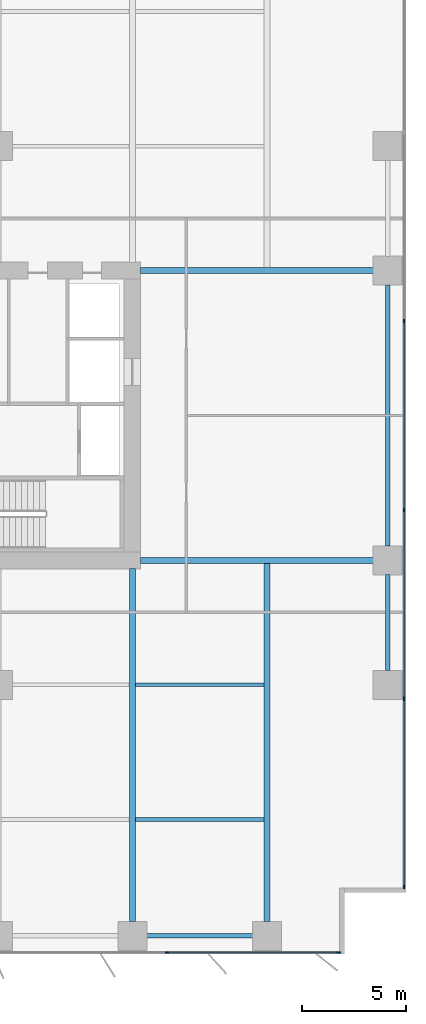
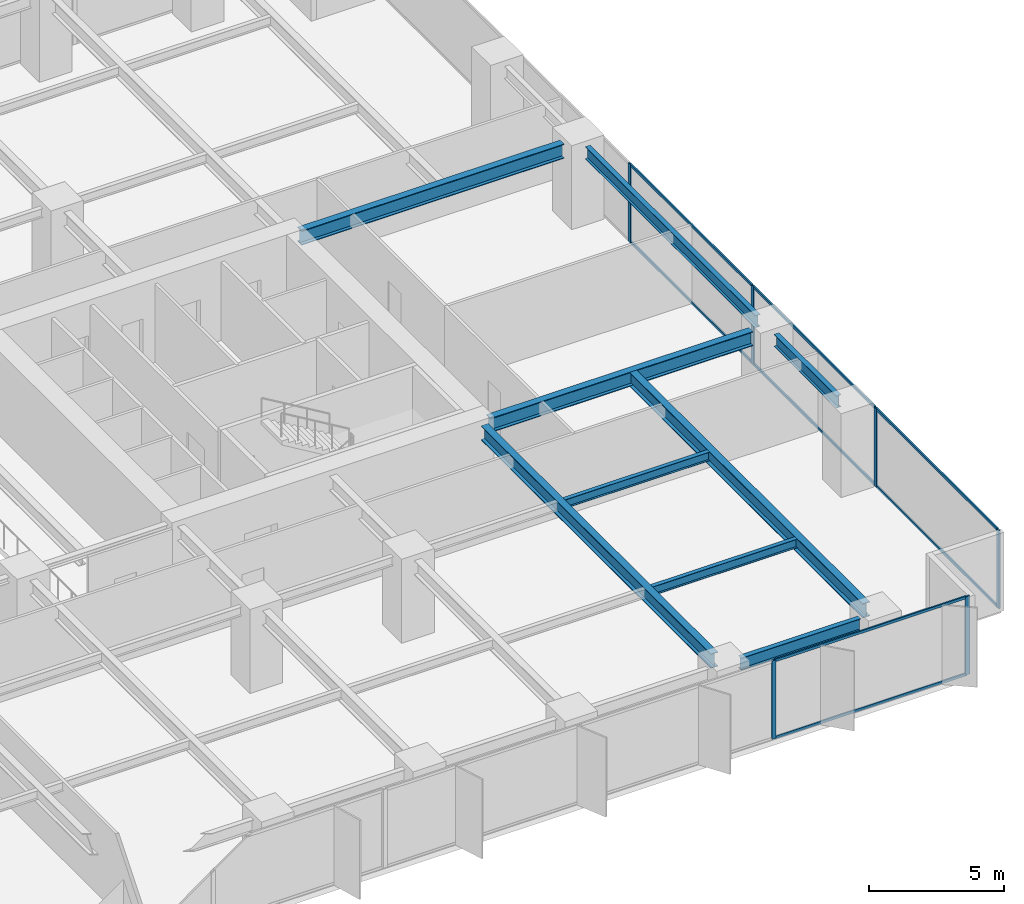
# One storey, part 10 of 20: 14 members, 9 beams, 2 elements without a shape of their own.
"""IFC4 building model written with IfcOpenShell, lengths in metres."""

from ifc_helpers import new_model, si_unit, direction, frame, origin, origin_2d, place, context, subcontext, project, spatial, rectangle, i_section, extrude, material, layer, layer_set, material_profile, profile_set, type_object, element, aggregate, save


model = new_model("IFC4")

# Units and contexts
model_context = context("Model", 3, precision=1e-05, world=origin(), true_north=direction((0.0, 1.0)))
body_context = subcontext(model_context, "Body", "Model", "MODEL_VIEW")
ifc_project = project(units=[si_unit("LENGTHUNIT", "METRE"), si_unit("AREAUNIT", "SQUARE_METRE"), si_unit("VOLUMEUNIT", "CUBIC_METRE"), si_unit("PLANEANGLEUNIT", "RADIAN"), si_unit("MASSUNIT", "GRAM", prefix="KILO")], contexts=[model_context])

# Site, building, storey
site_placement = place(None, origin())
site = spatial("IfcSite", under=ifc_project, at=site_placement, CompositionType="ELEMENT")
building_placement = place(site_placement, origin())
building = spatial("IfcBuilding", under=site, at=building_placement, Name="Putna Gate Headquarters", CompositionType="ELEMENT")
storey_placement = place(building_placement, frame((0.0, 0.0, 31.60009765625)))
storey = spatial("IfcBuildingStorey", under=building, at=storey_placement, Name="L06", CompositionType="ELEMENT", Elevation=31.60009765625)

# Beams
ifc_material_1 = material(Name="Steel S355J2", Category="steel")
ifc_material_profile_1 = material_profile(ifc_material_1, i_section(OverallWidth=0.300048828125, OverallDepth=0.64990234375, WebThickness=0.01611328125, FlangeThickness=0.031005859375, at=origin_2d()), Name="Steel S355J2")
ifc_profile_set_1 = profile_set([ifc_material_profile_1], Name="Steel S355J2")
beam_type_1 = type_object("IfcBeamType", Name="BM-GIRD-Z1-HEB650", PredefinedType="USERDEFINED", material=ifc_profile_set_1)
for number, where, z_axis, x_axis, name in (
    (1, (65.385009765625, 19.0, 3.224853515625), (1.0, 0.0, 0.0), (0.0, 1.0, 0.0), "L06 East Wing Girder Y19"),
    (2, (65.385009765625, 33.0, 3.224853515625), (1.0, 0.0, 0.0), (0.0, 1.0, 0.0), "L06 East Wing Girder Y33"),
):
    element("IfcBeam", number, at=place(storey_placement, frame(where, z_axis=z_axis, x_axis=x_axis)), inside=storey, type_object=beam_type_1, Name=name, ObjectType="GIRDER", PredefinedType="USERDEFINED", context=body_context, shape_type="SweptSolid", body=[
        extrude(i_section(OverallWidth=0.300048828125, OverallDepth=0.64990234375, WebThickness=0.01611328125, FlangeThickness=0.031005859375, at=origin_2d()), origin(), (0.0, 0.0, 1.0), 11.2470703125),
    ])
beam_1_placement = place(storey_placement, frame((65.0, 1.568115234375, 3.224853515625), z_axis=(0.0, 1.0, 0.0), x_axis=(-1.0, 0.0, 0.0)))
element("IfcBeam", 3, at=beam_1_placement, inside=storey, type_object=beam_type_1, Name="L06 South Primary Girder X65", ObjectType="GIRDER", PredefinedType="USERDEFINED", context=body_context, shape_type="SweptSolid", body=[
    extrude(i_section(OverallWidth=0.300048828125, OverallDepth=0.64990234375, WebThickness=0.01611328125, FlangeThickness=0.031005859375, at=origin_2d()), origin(), (0.0, 0.0, 1.0), 17.046875),
])
beam_2_placement = place(storey_placement, frame((71.5, 1.568115234375, 3.224853515625), z_axis=(0.0, 1.0, 0.0), x_axis=(-1.0, 0.0, 0.0)))
element("IfcBeam", 4, at=beam_2_placement, inside=storey, type_object=beam_type_1, Name="L06 South Primary Girder X71", ObjectType="GIRDER", PredefinedType="USERDEFINED", context=body_context, shape_type="SweptSolid", body=[
    extrude(i_section(OverallWidth=0.300048828125, OverallDepth=0.64990234375, WebThickness=0.01611328125, FlangeThickness=0.031005859375, at=origin_2d()), origin(), (0.0, 0.0, 1.0), 17.419921875),
])
ifc_material_profile_2 = material_profile(ifc_material_1, i_section(OverallWidth=0.179931640625, OverallDepth=0.39990234375, WebThickness=0.008544921875, FlangeThickness=0.013427734375, at=origin_2d()), Name="Steel S355J2")
ifc_profile_set_2 = profile_set([ifc_material_profile_2], Name="Steel S355J2")
beam_type_2 = type_object("IfcBeamType", Name="BM-SEC-Z1-IPE400", PredefinedType="BEAM", material=ifc_profile_set_2)
for number, where, z_axis, x_axis, name in (
    (5, (65.154052734375, 6.5, 3.349853515625), (1.0, 0.0, 0.0), (0.0, 1.0, 0.0), "L06 South Secondary Beam 10"),
    (6, (65.154052734375, 13.0, 3.349853515625), (1.0, 0.0, 0.0), (0.0, 1.0, 0.0), "L06 South Secondary Beam 10"),
):
    element("IfcBeam", number, at=place(storey_placement, frame(where, z_axis=z_axis, x_axis=x_axis)), inside=storey, type_object=beam_type_2, Name=name, PredefinedType="BEAM", context=body_context, shape_type="SweptSolid", body=[
        extrude(i_section(OverallWidth=0.179931640625, OverallDepth=0.39990234375, WebThickness=0.008544921875, FlangeThickness=0.013427734375, at=origin_2d()), origin(), (0.0, 0.0, 1.0), 6.19189453125),
    ])
ifc_material_profile_3 = material_profile(ifc_material_1, i_section(OverallWidth=0.2099609375, OverallDepth=0.550048828125, WebThickness=0.010986328125, FlangeThickness=0.01708984375, at=origin_2d()), Name="Steel S355J2")
ifc_profile_set_3 = profile_set([ifc_material_profile_3], Name="Steel S355J2")
beam_type_3 = type_object("IfcBeamType", Name="BM-SPAN-Z1-IPE550", PredefinedType="SPANDREL", material=ifc_profile_set_3)
beam_3_placement = place(storey_placement, frame((65.68798828125, 0.8798828125, 3.27490234375), z_axis=(1.0, 0.0, 0.0), x_axis=(0.0, 1.0, 0.0)))
element("IfcBeam", 7, at=beam_3_placement, inside=storey, type_object=beam_type_3, Name="L06 S Perimeter Spandrel 10", PredefinedType="SPANDREL", context=body_context, shape_type="SweptSolid", body=[
    extrude(i_section(OverallWidth=0.2099609375, OverallDepth=0.550048828125, WebThickness=0.010986328125, FlangeThickness=0.01708984375, at=origin_2d()), origin(), (0.0, 0.0, 1.0), 5.1240234375),
])
beam_4_placement = place(storey_placement, frame((77.320068359375, 13.68798828125, 3.27490234375), z_axis=(0.0, 1.0, 0.0), x_axis=(-1.0, 0.0, 0.0)))
element("IfcBeam", 8, at=beam_4_placement, inside=storey, type_object=beam_type_3, Name="L06 E End Spandrel 1", PredefinedType="SPANDREL", context=body_context, shape_type="SweptSolid", body=[
    extrude(i_section(OverallWidth=0.2099609375, OverallDepth=0.550048828125, WebThickness=0.010986328125, FlangeThickness=0.01708984375, at=origin_2d()), origin(), (0.0, 0.0, 1.0), 4.6240234375),
])
beam_5_placement = place(storey_placement, frame((77.320068359375, 19.68798828125, 3.27490234375), z_axis=(0.0, 1.0, 0.0), x_axis=(-1.0, 0.0, 0.0)))
element("IfcBeam", 9, at=beam_5_placement, inside=storey, type_object=beam_type_3, Name="L06 E End Spandrel 2", PredefinedType="SPANDREL", context=body_context, shape_type="SweptSolid", body=[
    extrude(i_section(OverallWidth=0.2099609375, OverallDepth=0.550048828125, WebThickness=0.010986328125, FlangeThickness=0.01708984375, at=origin_2d()), origin(), (0.0, 0.0, 1.0), 12.6240234375),
])

# Curtain wall, members
ifc_material_2 = material(Name="Anodised bronze aluminium curtain wall", Category="aluminium")
ifc_layer = layer(ifc_material_2, 0.179931640625)
ifc_layer_set = layer_set([ifc_layer], Name="Anodised bronze aluminium curtain wall")
curtain_wall_type = type_object("IfcCurtainWallType", Name="CW-SYS-Z1", PredefinedType="USERDEFINED", material=ifc_layer_set)
curtain_wall_1_placement = place(storey_placement, origin())
curtain_wall_1 = element("IfcCurtainWall", 10, at=curtain_wall_1_placement, inside=storey, type_object=curtain_wall_type, Name="L06 South East Curtain Wall", ObjectType="STICK CURTAIN WALL", PredefinedType="USERDEFINED")
ifc_material_3 = material(Name="Anodised bronze aluminium EN AW-6060", Category="aluminium")
ifc_material_profile_4 = material_profile(ifc_material_3, rectangle(XDim=0.070068359375, YDim=0.179931640625, at=origin_2d()), Name="Anodised bronze aluminium EN AW-6060")
ifc_profile_set_4 = profile_set([ifc_material_profile_4], Name="Anodised bronze aluminium EN AW-6060")
member_type_1 = type_object("IfcMemberType", Name="MULL-CWM-1", PredefinedType="MULLION", material=ifc_profile_set_4)
member_1_placement = place(storey_placement, frame((66.666748046875, 0.080078125, 0.0), z_axis=(0.0, 0.0, 1.0), x_axis=(0.0, 1.0, 0.0)))
member_1 = element("IfcMember", 11, at=member_1_placement, type_object=member_type_1, Name="CWS-1 mullion 3", PredefinedType="MULLION", context=body_context, shape_type="SweptSolid", body=[
    extrude(rectangle(XDim=0.070068359375, YDim=0.179931640625, at=origin_2d()), origin(), (0.0, 0.0, 1.0), 3.5498046875),
])
member_2_placement = place(storey_placement, frame((74.965087890625, 0.080078125, 0.0), z_axis=(0.0, 0.0, 1.0), x_axis=(0.0, 1.0, 0.0)))
member_2 = element("IfcMember", 12, at=member_2_placement, type_object=member_type_1, Name="CWS-1 mullion 4", PredefinedType="MULLION", context=body_context, shape_type="SweptSolid", body=[
    extrude(rectangle(XDim=0.070068359375, YDim=0.179931640625, at=origin_2d()), origin(), (0.0, 0.0, 1.0), 3.5498046875),
])

curtain_wall_2_placement = place(storey_placement, origin())
curtain_wall_2 = element("IfcCurtainWall", 13, at=curtain_wall_2_placement, inside=storey, type_object=curtain_wall_type, Name="L06 East Curtain Wall", ObjectType="STICK CURTAIN WALL", PredefinedType="USERDEFINED")
member_3_placement = place(storey_placement, frame((78.1201171875, 3.235107421875, 0.0), z_axis=(0.0, 0.0, 1.0), x_axis=(-1.0, 0.0, 0.0)))
member_3 = element("IfcMember", 14, at=member_3_placement, type_object=member_type_1, Name="CWS-1 mullion 1", PredefinedType="MULLION", context=body_context, shape_type="SweptSolid", body=[
    extrude(rectangle(XDim=0.070068359375, YDim=0.179931640625, at=origin_2d()), origin(), (0.0, 0.0, 1.0), 3.5498046875),
])
member_4_placement = place(storey_placement, frame((78.1201171875, 12.320068359375, 0.0), z_axis=(0.0, 0.0, 1.0), x_axis=(-1.0, 0.0, 0.0)))
member_4 = element("IfcMember", 15, at=member_4_placement, type_object=member_type_1, Name="CWS-1 mullion 2", PredefinedType="MULLION", context=body_context, shape_type="SweptSolid", body=[
    extrude(rectangle(XDim=0.070068359375, YDim=0.179931640625, at=origin_2d()), origin(), (0.0, 0.0, 1.0), 3.5498046875),
])
member_5_placement = place(storey_placement, frame((78.1201171875, 21.43994140625, 0.0), z_axis=(0.0, 0.0, 1.0), x_axis=(-1.0, 0.0, 0.0)))
member_5 = element("IfcMember", 16, at=member_5_placement, type_object=member_type_1, Name="CWS-1 mullion 3", PredefinedType="MULLION", context=body_context, shape_type="SweptSolid", body=[
    extrude(rectangle(XDim=0.070068359375, YDim=0.179931640625, at=origin_2d()), origin(), (0.0, 0.0, 1.0), 3.5498046875),
])
member_6_placement = place(storey_placement, frame((78.1201171875, 30.56005859375, 0.0), z_axis=(0.0, 0.0, 1.0), x_axis=(-1.0, 0.0, 0.0)))
member_6 = element("IfcMember", 17, at=member_6_placement, type_object=member_type_1, Name="CWS-1 mullion 4", PredefinedType="MULLION", context=body_context, shape_type="SweptSolid", body=[
    extrude(rectangle(XDim=0.070068359375, YDim=0.179931640625, at=origin_2d()), origin(), (0.0, 0.0, 1.0), 3.5498046875),
])

# Member
ifc_material_profile_5 = material_profile(ifc_material_3, rectangle(XDim=0.06494140625, YDim=0.1201171875, at=origin_2d()), Name="Anodised bronze aluminium EN AW-6060")
ifc_profile_set_5 = profile_set([ifc_material_profile_5], Name="Anodised bronze aluminium EN AW-6060")
member_type_2 = type_object("IfcMemberType", Name="TRAN-CWT-1", PredefinedType="USERDEFINED", material=ifc_profile_set_5)
member_7_placement = place(storey_placement, frame((66.70166015625, 0.080078125, 0.032470703125), z_axis=(1.0, 0.0, 0.0), x_axis=(0.0, 1.0, 0.0)))
member_7 = element("IfcMember", 18, at=member_7_placement, type_object=member_type_2, Name="CWS-1 transom 3.1", ObjectType="TRANSOM", PredefinedType="USERDEFINED", context=body_context, shape_type="SweptSolid", body=[
    extrude(rectangle(XDim=0.06494140625, YDim=0.1201171875, at=origin_2d()), origin(), (0.0, 0.0, 1.0), 8.228271484375),
])

member_8_placement = place(storey_placement, frame((66.70166015625, 0.080078125, 3.517333984375), z_axis=(1.0, 0.0, 0.0), x_axis=(0.0, 1.0, 0.0)))
member_8 = element("IfcMember", 19, at=member_8_placement, type_object=member_type_2, Name="CWS-1 transom 3.2", ObjectType="TRANSOM", PredefinedType="USERDEFINED", context=body_context, shape_type="SweptSolid", body=[
    extrude(rectangle(XDim=0.06494140625, YDim=0.1201171875, at=origin_2d()), origin(), (0.0, 0.0, 1.0), 8.228271484375),
])

aggregate(curtain_wall_1, [member_1, member_2, member_7, member_8])

member_9_placement = place(storey_placement, frame((78.1201171875, 3.27001953125, 0.032470703125), z_axis=(0.0, 1.0, 0.0), x_axis=(-1.0, 0.0, 0.0)))
member_9 = element("IfcMember", 20, at=member_9_placement, type_object=member_type_2, Name="CWS-1 transom 1.1", ObjectType="TRANSOM", PredefinedType="USERDEFINED", context=body_context, shape_type="SweptSolid", body=[
    extrude(rectangle(XDim=0.06494140625, YDim=0.1201171875, at=origin_2d()), origin(), (0.0, 0.0, 1.0), 9.014892578125),
])

member_10_placement = place(storey_placement, frame((78.1201171875, 3.27001953125, 3.517333984375), z_axis=(0.0, 1.0, 0.0), x_axis=(-1.0, 0.0, 0.0)))
member_10 = element("IfcMember", 21, at=member_10_placement, type_object=member_type_2, Name="CWS-1 transom 1.2", ObjectType="TRANSOM", PredefinedType="USERDEFINED", context=body_context, shape_type="SweptSolid", body=[
    extrude(rectangle(XDim=0.06494140625, YDim=0.1201171875, at=origin_2d()), origin(), (0.0, 0.0, 1.0), 9.014892578125),
])

member_11_placement = place(storey_placement, frame((78.1201171875, 12.35498046875, 0.032470703125), z_axis=(0.0, 1.0, 0.0), x_axis=(-1.0, 0.0, 0.0)))
member_11 = element("IfcMember", 22, at=member_11_placement, type_object=member_type_2, Name="CWS-1 transom 2.1", ObjectType="TRANSOM", PredefinedType="USERDEFINED", context=body_context, shape_type="SweptSolid", body=[
    extrude(rectangle(XDim=0.06494140625, YDim=0.1201171875, at=origin_2d()), origin(), (0.0, 0.0, 1.0), 9.050048828125),
])

member_12_placement = place(storey_placement, frame((78.1201171875, 12.35498046875, 3.517333984375), z_axis=(0.0, 1.0, 0.0), x_axis=(-1.0, 0.0, 0.0)))
member_12 = element("IfcMember", 23, at=member_12_placement, type_object=member_type_2, Name="CWS-1 transom 2.2", ObjectType="TRANSOM", PredefinedType="USERDEFINED", context=body_context, shape_type="SweptSolid", body=[
    extrude(rectangle(XDim=0.06494140625, YDim=0.1201171875, at=origin_2d()), origin(), (0.0, 0.0, 1.0), 9.050048828125),
])

member_13_placement = place(storey_placement, frame((78.1201171875, 21.47509765625, 0.032470703125), z_axis=(0.0, 1.0, 0.0), x_axis=(-1.0, 0.0, 0.0)))
member_13 = element("IfcMember", 24, at=member_13_placement, type_object=member_type_2, Name="CWS-1 transom 3.1", ObjectType="TRANSOM", PredefinedType="USERDEFINED", context=body_context, shape_type="SweptSolid", body=[
    extrude(rectangle(XDim=0.06494140625, YDim=0.1201171875, at=origin_2d()), origin(), (0.0, 0.0, 1.0), 9.0498046875),
])

member_14_placement = place(storey_placement, frame((78.1201171875, 21.47509765625, 3.517333984375), z_axis=(0.0, 1.0, 0.0), x_axis=(-1.0, 0.0, 0.0)))
member_14 = element("IfcMember", 25, at=member_14_placement, type_object=member_type_2, Name="CWS-1 transom 3.2", ObjectType="TRANSOM", PredefinedType="USERDEFINED", context=body_context, shape_type="SweptSolid", body=[
    extrude(rectangle(XDim=0.06494140625, YDim=0.1201171875, at=origin_2d()), origin(), (0.0, 0.0, 1.0), 9.0498046875),
])

aggregate(curtain_wall_2, [member_3, member_4, member_5, member_6, member_9, member_10, member_11, member_12, member_13, member_14])

save(model, "model.ifc")
